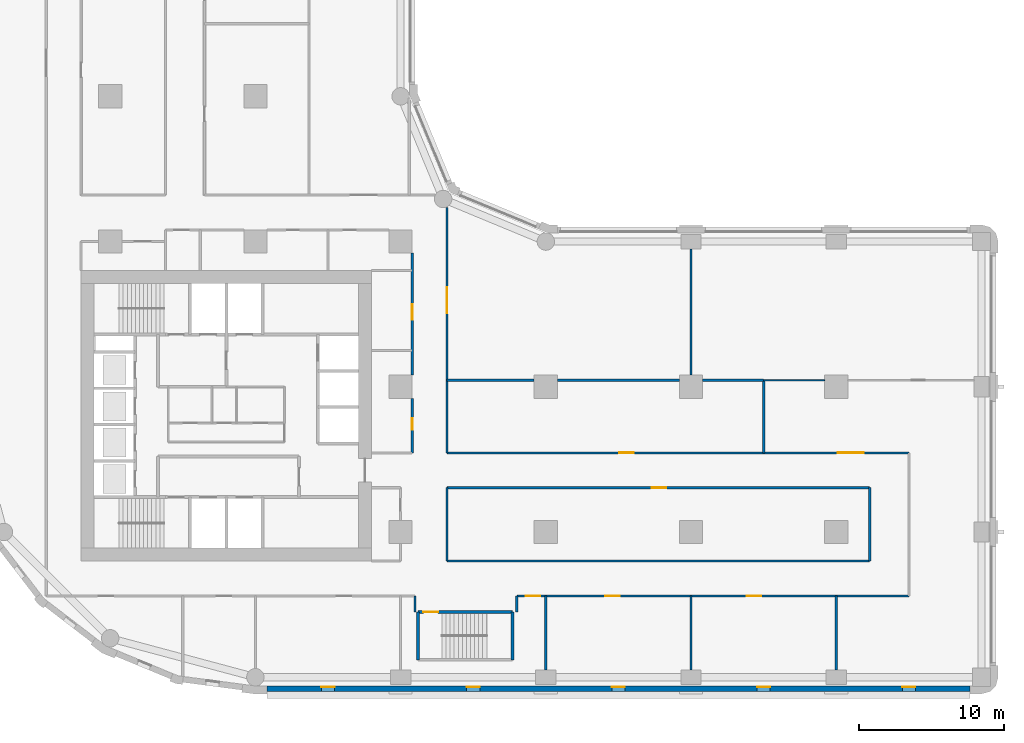
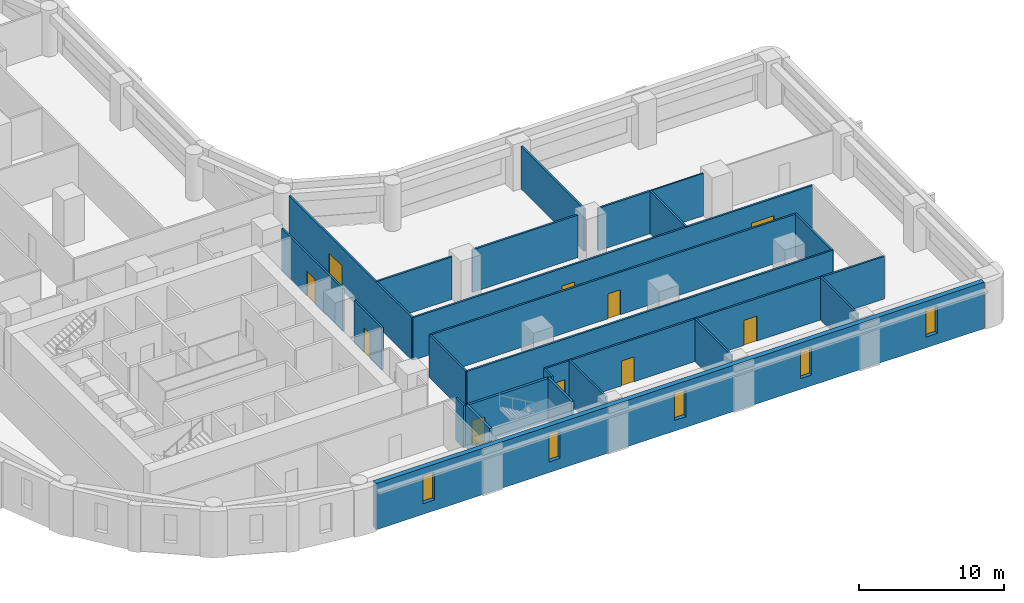
# One storey, part 4 of 10: 24 walls, 10 doors, 5 windows, 15 openings.
"""IFC4 building model written with IfcOpenShell, lengths in metres."""

from ifc_helpers import new_model, si_unit, direction, frame, frame_2d, origin, place, context, subcontext, project, spatial, rectangle, extrude, material, layer, layer_set, type_object, element, fill, save


model = new_model("IFC4")

# Units and contexts
model_context = context("Model", 3, precision=1e-05, world=origin(), true_north=direction((0.0, 1.0)))
body_context = subcontext(model_context, "Body", "Model", "MODEL_VIEW")
ifc_project = project(units=[si_unit("LENGTHUNIT", "METRE"), si_unit("AREAUNIT", "SQUARE_METRE"), si_unit("VOLUMEUNIT", "CUBIC_METRE"), si_unit("PLANEANGLEUNIT", "RADIAN"), si_unit("MASSUNIT", "GRAM", prefix="KILO")], contexts=[model_context])

# Site, building, storey
site_placement = place(None, origin())
site = spatial("IfcSite", under=ifc_project, at=site_placement, CompositionType="ELEMENT")
building_placement = place(site_placement, origin())
building = spatial("IfcBuilding", under=site, at=building_placement, Name="Qaws Garden Tower", CompositionType="ELEMENT")
storey_placement = place(building_placement, frame((0.0, 0.0, 105.60009765625)))
storey = spatial("IfcBuildingStorey", under=building, at=storey_placement, Name="L26", CompositionType="ELEMENT", Elevation=105.60009765625)

# Wall, openings, windows
ifc_material_1 = material(Name="Clay facing brick masonry", Category="masonry")
ifc_layer_1 = layer(ifc_material_1, 0.39990234375)
ifc_layer_set_1 = layer_set([ifc_layer_1], Name="Clay facing brick masonry")
wall_type_1 = type_object("IfcWallType", Name="Brick infill wall 400", PredefinedType="SOLIDWALL", material=ifc_layer_set_1)
wall_1_placement = place(storey_placement, frame((20.800048828125, -0.800048828125, 0.0), z_axis=(0.0, 0.0, 1.0), x_axis=(1.0, 0.0, 0.0)))
wall_1 = element("IfcWall", 1, at=wall_1_placement, inside=storey, type_object=wall_type_1, Name="E-L26-infill-00", PredefinedType="SOLIDWALL", context=body_context, shape_type="SweptSolid", body=[
    extrude(rectangle(XDim=48.39990234375, YDim=0.39990234375, at=frame_2d((24.199951171875, 0.0))), origin(), (0.0, 0.0, 1.0), 3.89990234375),
])
opening_1_placement = place(wall_1_placement, frame((3.75, 0.0, 0.89990234375)))
opening_1 = element("IfcOpeningElement", 2, at=opening_1_placement, cuts=wall_1, Name="Opening W09", PredefinedType="OPENING", context=body_context, shape_type="SweptSolid", body=[
    extrude(rectangle(XDim=0.89990234375, YDim=2.35009765625, at=frame_2d((0.449951171875, 1.175048828125))), frame((0.0, 0.2099609375, 0.0), z_axis=(0.0, -1.0, 0.0), x_axis=(1.0, 0.0, 0.0)), (0.0, 0.0, 1.0), 0.419921875),
])
opening_2_placement = place(wall_1_placement, frame((13.75, 0.0, 0.89990234375)))
opening_2 = element("IfcOpeningElement", 3, at=opening_2_placement, cuts=wall_1, Name="Opening W09", PredefinedType="OPENING", context=body_context, shape_type="SweptSolid", body=[
    extrude(rectangle(XDim=0.89990234375, YDim=2.35009765625, at=frame_2d((0.449951171875, 1.175048828125))), frame((0.0, 0.2099609375, 0.0), z_axis=(0.0, -1.0, 0.0), x_axis=(1.0, 0.0, 0.0)), (0.0, 0.0, 1.0), 0.419921875),
])
opening_3_placement = place(wall_1_placement, frame((23.75, 0.0, 0.89990234375)))
opening_3 = element("IfcOpeningElement", 4, at=opening_3_placement, cuts=wall_1, Name="Opening W09", PredefinedType="OPENING", context=body_context, shape_type="SweptSolid", body=[
    extrude(rectangle(XDim=0.89990234375, YDim=2.35009765625, at=frame_2d((0.449951171875, 1.175048828125))), frame((0.0, 0.2099609375, 0.0), z_axis=(0.0, -1.0, 0.0), x_axis=(1.0, 0.0, 0.0)), (0.0, 0.0, 1.0), 0.419921875),
])
opening_4_placement = place(wall_1_placement, frame((33.75, 0.0, 0.89990234375)))
opening_4 = element("IfcOpeningElement", 5, at=opening_4_placement, cuts=wall_1, Name="Opening W09", PredefinedType="OPENING", context=body_context, shape_type="SweptSolid", body=[
    extrude(rectangle(XDim=0.89990234375, YDim=2.35009765625, at=frame_2d((0.449951171875, 1.175048828125))), frame((0.0, 0.2099609375, 0.0), z_axis=(0.0, -1.0, 0.0), x_axis=(1.0, 0.0, 0.0)), (0.0, 0.0, 1.0), 0.419921875),
])
opening_5_placement = place(wall_1_placement, frame((43.75, 0.0, 0.89990234375)))
opening_5 = element("IfcOpeningElement", 6, at=opening_5_placement, cuts=wall_1, Name="Opening W09", PredefinedType="OPENING", context=body_context, shape_type="SweptSolid", body=[
    extrude(rectangle(XDim=0.89990234375, YDim=2.35009765625, at=frame_2d((0.449951171875, 1.175048828125))), frame((0.0, 0.2099609375, 0.0), z_axis=(0.0, -1.0, 0.0), x_axis=(1.0, 0.0, 0.0)), (0.0, 0.0, 1.0), 0.419921875),
])
ifc_material_2 = material(Name="Aluminium framed window, clear glazing", Category="aluminium")
window_type = type_object("IfcWindowType", Name="Slit window 900 x 2350", PartitioningType="SINGLE_PANEL", PredefinedType="WINDOW", material=ifc_material_2)
window_1_placement = place(opening_1_placement, origin())
window_1 = element("IfcWindow", 7, at=window_1_placement, inside=storey, type_object=window_type, Name="E-L26-window-00-0", OverallHeight=2.35009765625, OverallWidth=0.89990234375, PartitioningType="SINGLE_PANEL", PredefinedType="WINDOW", context=body_context, shape_type="SweptSolid", body=[
    extrude(rectangle(XDim=0.89990234375, YDim=2.35009765625, at=frame_2d((0.449951171875, 1.175048828125))), frame((0.0, 0.159912109375, 0.0), z_axis=(0.0, -1.0, 0.0), x_axis=(1.0, 0.0, 0.0)), (0.0, 0.0, 1.0), 0.06005859375),
])
fill(opening_1, window_1)
window_2_placement = place(opening_2_placement, origin())
window_2 = element("IfcWindow", 8, at=window_2_placement, inside=storey, type_object=window_type, Name="E-L26-window-01-0", OverallHeight=2.35009765625, OverallWidth=0.89990234375, PartitioningType="SINGLE_PANEL", PredefinedType="WINDOW", context=body_context, shape_type="SweptSolid", body=[
    extrude(rectangle(XDim=0.89990234375, YDim=2.35009765625, at=frame_2d((0.449951171875, 1.175048828125))), frame((0.0, 0.159912109375, 0.0), z_axis=(0.0, -1.0, 0.0), x_axis=(1.0, 0.0, 0.0)), (0.0, 0.0, 1.0), 0.06005859375),
])
fill(opening_2, window_2)
window_3_placement = place(opening_3_placement, origin())
window_3 = element("IfcWindow", 9, at=window_3_placement, inside=storey, type_object=window_type, Name="E-L26-window-02-0", OverallHeight=2.35009765625, OverallWidth=0.89990234375, PartitioningType="SINGLE_PANEL", PredefinedType="WINDOW", context=body_context, shape_type="SweptSolid", body=[
    extrude(rectangle(XDim=0.89990234375, YDim=2.35009765625, at=frame_2d((0.449951171875, 1.175048828125))), frame((0.0, 0.159912109375, 0.0), z_axis=(0.0, -1.0, 0.0), x_axis=(1.0, 0.0, 0.0)), (0.0, 0.0, 1.0), 0.06005859375),
])
fill(opening_3, window_3)
window_4_placement = place(opening_4_placement, origin())
window_4 = element("IfcWindow", 10, at=window_4_placement, inside=storey, type_object=window_type, Name="E-L26-window-03-0", OverallHeight=2.35009765625, OverallWidth=0.89990234375, PartitioningType="SINGLE_PANEL", PredefinedType="WINDOW", context=body_context, shape_type="SweptSolid", body=[
    extrude(rectangle(XDim=0.89990234375, YDim=2.35009765625, at=frame_2d((0.449951171875, 1.175048828125))), frame((0.0, 0.159912109375, 0.0), z_axis=(0.0, -1.0, 0.0), x_axis=(1.0, 0.0, 0.0)), (0.0, 0.0, 1.0), 0.06005859375),
])
fill(opening_4, window_4)
window_5_placement = place(opening_5_placement, origin())
window_5 = element("IfcWindow", 11, at=window_5_placement, inside=storey, type_object=window_type, Name="E-L26-window-04-0", OverallHeight=2.35009765625, OverallWidth=0.89990234375, PartitioningType="SINGLE_PANEL", PredefinedType="WINDOW", context=body_context, shape_type="SweptSolid", body=[
    extrude(rectangle(XDim=0.89990234375, YDim=2.35009765625, at=frame_2d((0.449951171875, 1.175048828125))), frame((0.0, 0.159912109375, 0.0), z_axis=(0.0, -1.0, 0.0), x_axis=(1.0, 0.0, 0.0)), (0.0, 0.0, 1.0), 0.06005859375),
])
fill(opening_5, window_5)

# Wall, opening, door
ifc_material_3 = material(Name="Concrete C80", Category="concrete")
ifc_layer_2 = layer(ifc_material_3, 0.199951171875)
ifc_layer_set_2 = layer_set([ifc_layer_2], Name="Concrete C80")
wall_type_2 = type_object("IfcWallType", Name="Core shaft wall 200 C80", PredefinedType="SHEAR", material=ifc_layer_set_2)
wall_2_placement = place(storey_placement, frame((31.199951171875, 4.5, 0.0), z_axis=(0.0, 0.0, 1.0), x_axis=(1.0, 0.0, 0.0)))
wall_2 = element("IfcWall", 12, at=wall_2_placement, inside=storey, type_object=wall_type_2, Name="Shaft wall", PredefinedType="SHEAR", context=body_context, shape_type="SweptSolid", body=[
    extrude(rectangle(XDim=6.5, YDim=0.199951171875, at=frame_2d((3.25, 0.0))), origin(), (0.0, 0.0, 1.0), 3.579833984375),
])
opening_6_placement = place(wall_2_placement, frame((0.375, 0.0, 0.0)))
opening_6 = element("IfcOpeningElement", 13, at=opening_6_placement, cuts=wall_2, Name="Opening SD12", PredefinedType="OPENING", context=body_context, shape_type="SweptSolid", body=[
    extrude(rectangle(XDim=1.0, YDim=2.10009765625, at=frame_2d((0.5, 1.050048828125))), frame((0.0, 0.10986328125, 0.0), z_axis=(0.0, -1.0, 0.0), x_axis=(1.0, 0.0, 0.0)), (0.0, 0.0, 1.0), 0.219970703125),
])
ifc_material_4 = material(Name="Steel S235", Category="steel")
door_type_1 = type_object("IfcDoorType", Name="Stair door 1000x2100", OperationType="SINGLE_SWING_RIGHT", PredefinedType="DOOR", material=ifc_material_4)
door_1_placement = place(opening_6_placement, frame((1.0, 0.0, 0.0), z_axis=(0.0, 0.0, 1.0), x_axis=(-1.0, 0.0, 0.0)))
door_1 = element("IfcDoor", 14, at=door_1_placement, inside=storey, type_object=door_type_1, Name="Stair 5 door", OperationType="SINGLE_SWING_RIGHT", OverallHeight=2.10009765625, OverallWidth=1.0, PredefinedType="DOOR", context=body_context, shape_type="SweptSolid", body=[
    extrude(rectangle(XDim=1.0, YDim=2.10009765625, at=frame_2d((0.5, 1.050048828125))), frame((0.0, 0.02490234375, 0.0), z_axis=(0.0, -1.0, 0.0), x_axis=(1.0, 0.0, 0.0)), (0.0, 0.0, 1.0), 0.050048828125),
])
fill(opening_6, door_1)

# Walls
for number, where, z_axis, x_axis, name in (
    (15, (31.199951171875, 1.199951171875, 0.0), (0.0, 0.0, 1.0), (0.0, 1.0, 0.0), "Shaft wall"),
    (16, (37.699951171875, 1.199951171875, 0.0), (0.0, 0.0, 1.0), (0.0, 1.0, 0.0), "Shaft wall"),
):
    element("IfcWall", number, at=place(storey_placement, frame(where, z_axis=z_axis, x_axis=x_axis)), inside=storey, type_object=wall_type_2, Name=name, PredefinedType="SHEAR", context=body_context, shape_type="SweptSolid", body=[
        extrude(rectangle(XDim=3.300048828125, YDim=0.199951171875, at=frame_2d((1.64990234375, 0.0))), origin(), (0.0, 0.0, 1.0), 3.579833984375),
    ])
ifc_material_5 = material(Name="Gypsum board partition")
ifc_layer_3 = layer(ifc_material_5, 0.10009765625)
ifc_layer_set_3 = layer_set([ifc_layer_3], Name="Gypsum board partition")
wall_type_3 = type_object("IfcWallType", Name="PARTITION 100", PredefinedType="PARTITIONING", material=ifc_layer_set_3)
wall_3_placement = place(storey_placement, frame((55.0, 20.449951171875, 0.0), z_axis=(0.0, 0.0, 1.0), x_axis=(1.0, 0.0, 0.0)))
element("IfcWall", 17, at=wall_3_placement, inside=storey, type_object=wall_type_3, Name="O-L26-wall-002", PredefinedType="PARTITIONING", context=body_context, shape_type="SweptSolid", body=[
    extrude(rectangle(XDim=4.199951171875, YDim=0.10009765625, at=frame_2d((2.10009765625, 0.0))), origin(), (0.0, 0.0, 1.0), 3.579833984375),
])

# Wall, opening, door
ifc_material_6 = material(Name="Gypsum board partition")
ifc_layer_4 = layer(ifc_material_6, 0.14990234375)
ifc_layer_set_4 = layer_set([ifc_layer_4], Name="Gypsum board partition")
wall_type_4 = type_object("IfcWallType", Name="PARTITION 150 EI 60", PredefinedType="PARTITIONING", material=ifc_layer_set_4)
wall_4_placement = place(storey_placement, frame((30.800048828125, 15.449951171875, 0.0), z_axis=(0.0, 0.0, 1.0), x_axis=(0.0, 1.0, 0.0)))
wall_4 = element("IfcWall", 18, at=wall_4_placement, inside=storey, type_object=wall_type_4, Name="O-L26-wall-023", PredefinedType="PARTITIONING", context=body_context, shape_type="SweptSolid", body=[
    extrude(rectangle(XDim=3.75, YDim=0.14990234375, at=frame_2d((1.875, 0.0))), origin(), (0.0, 0.0, 1.0), 3.579833984375),
])
opening_7_placement = place(wall_4_placement, frame((1.60009765625, 0.0, 0.0)))
opening_7 = element("IfcOpeningElement", 19, at=opening_7_placement, cuts=wall_4, Name="Opening A905", PredefinedType="OPENING", context=body_context, shape_type="SweptSolid", body=[
    extrude(rectangle(XDim=0.800048828125, YDim=2.10009765625, at=frame_2d((0.39990234375, 1.050048828125))), frame((0.0, 0.0849609375, 0.0), z_axis=(0.0, -1.0, 0.0), x_axis=(1.0, 0.0, 0.0)), (0.0, 0.0, 1.0), 0.169921875),
])
ifc_material_7 = material(Name="Timber door leaf", Category="wood")
door_type_2 = type_object("IfcDoorType", Name="STORE DOOR 800 X 2100", OperationType="SINGLE_SWING_LEFT", PredefinedType="DOOR", material=ifc_material_7)
door_2_placement = place(opening_7_placement, origin())
door_2 = element("IfcDoor", 20, at=door_2_placement, inside=storey, type_object=door_type_2, Name="O-L26-door-005", OperationType="SINGLE_SWING_RIGHT", OverallHeight=2.10009765625, OverallWidth=0.800048828125, PredefinedType="DOOR", context=body_context, shape_type="SweptSolid", body=[
    extrude(rectangle(XDim=0.800048828125, YDim=2.10009765625, at=frame_2d((0.39990234375, 1.050048828125))), frame((0.0, 0.02490234375, 0.0), z_axis=(0.0, -1.0, 0.0), x_axis=(1.0, 0.0, 0.0)), (0.0, 0.0, 1.0), 0.050048828125),
])
fill(opening_7, door_2)

wall_5_placement = place(storey_placement, frame((30.800048828125, 20.800048828125, 0.0), z_axis=(0.0, 0.0, 1.0), x_axis=(0.0, 1.0, 0.0)))
wall_5 = element("IfcWall", 21, at=wall_5_placement, inside=storey, type_object=wall_type_4, Name="O-L26-wall-024", PredefinedType="PARTITIONING", context=body_context, shape_type="SweptSolid", body=[
    extrude(rectangle(XDim=8.39990234375, YDim=0.14990234375, at=frame_2d((4.199951171875, 0.0))), origin(), (0.0, 0.0, 1.0), 3.579833984375),
])
opening_8_placement = place(wall_5_placement, frame((3.800048828125, 0.0, 0.0)))
opening_8 = element("IfcOpeningElement", 22, at=opening_8_placement, cuts=wall_5, Name="Opening A906", PredefinedType="OPENING", context=body_context, shape_type="SweptSolid", body=[
    extrude(rectangle(XDim=1.10009765625, YDim=2.10009765625, at=frame_2d((0.550048828125, 1.050048828125))), frame((0.0, 0.0849609375, 0.0), z_axis=(0.0, -1.0, 0.0), x_axis=(1.0, 0.0, 0.0)), (0.0, 0.0, 1.0), 0.169921875),
])
ifc_material_8 = material(Name="Timber door leaf", Category="wood")
door_type_3 = type_object("IfcDoorType", Name="SERVICE ROOM DOOR 1100 X 2100", OperationType="SINGLE_SWING_LEFT", PredefinedType="DOOR", material=ifc_material_8)
door_3_placement = place(opening_8_placement, origin())
door_3 = element("IfcDoor", 23, at=door_3_placement, inside=storey, type_object=door_type_3, Name="O-L26-door-006", OperationType="SINGLE_SWING_RIGHT", OverallHeight=2.10009765625, OverallWidth=1.10009765625, PredefinedType="DOOR", context=body_context, shape_type="SweptSolid", body=[
    extrude(rectangle(XDim=1.10009765625, YDim=2.10009765625, at=frame_2d((0.550048828125, 1.050048828125))), frame((0.0, 0.02490234375, 0.0), z_axis=(0.0, -1.0, 0.0), x_axis=(1.0, 0.0, 0.0)), (0.0, 0.0, 1.0), 0.050048828125),
])
fill(opening_8, door_3)

# Walls
wall_6_placement = place(storey_placement, frame((31.0, 4.5, 0.0), z_axis=(0.0, 0.0, 1.0), x_axis=(0.0, 1.0, 0.0)))
element("IfcWall", 24, at=wall_6_placement, inside=storey, type_object=wall_type_4, Name="O-L26-wall-025", PredefinedType="PARTITIONING", context=body_context, shape_type="SweptSolid", body=[
    extrude(rectangle(XDim=1.10009765625, YDim=0.14990234375, at=frame_2d((0.550048828125, 0.0))), origin(), (0.0, 0.0, 1.0), 3.579833984375),
])
wall_7_placement = place(storey_placement, frame((33.199951171875, 8.0, 0.0), z_axis=(0.0, 0.0, 1.0), x_axis=(0.0, 1.0, 0.0)))
element("IfcWall", 25, at=wall_7_placement, inside=storey, type_object=wall_type_4, Name="O-L26-wall-026", PredefinedType="PARTITIONING", context=body_context, shape_type="SweptSolid", body=[
    extrude(rectangle(XDim=5.050048828125, YDim=0.14990234375, at=frame_2d((2.52490234375, 0.0))), origin(), (0.0, 0.0, 1.0), 3.579833984375),
])

# Wall, opening, door
wall_8_placement = place(storey_placement, frame((33.199951171875, 15.449951171875, 0.0), z_axis=(0.0, 0.0, 1.0), x_axis=(0.0, 1.0, 0.0)))
wall_8 = element("IfcWall", 26, at=wall_8_placement, inside=storey, type_object=wall_type_4, Name="O-L26-wall-027", PredefinedType="PARTITIONING", context=body_context, shape_type="SweptSolid", body=[
    extrude(rectangle(XDim=16.912109375, YDim=0.14990234375, at=frame_2d((8.4560546875, 0.0))), origin(), (0.0, 0.0, 1.0), 3.579833984375),
])
opening_9_placement = place(wall_8_placement, frame((9.60009765625, 0.0, 0.0)))
opening_9 = element("IfcOpeningElement", 27, at=opening_9_placement, cuts=wall_8, Name="Opening A903", PredefinedType="OPENING", context=body_context, shape_type="SweptSolid", body=[
    extrude(rectangle(XDim=1.800048828125, YDim=2.10009765625, at=frame_2d((0.89990234375, 1.050048828125))), frame((0.0, 0.0849609375, 0.0), z_axis=(0.0, -1.0, 0.0), x_axis=(1.0, 0.0, 0.0)), (0.0, 0.0, 1.0), 0.169921875),
])
ifc_material_9 = material(Name="Timber door leaf", Category="wood")
door_type_4 = type_object("IfcDoorType", Name="DOUBLE DOOR 1800 X 2100", OperationType="DOUBLE_DOOR_SINGLE_SWING", PredefinedType="DOOR", material=ifc_material_9)
door_4_placement = place(opening_9_placement, frame((1.800048828125, 0.0, 0.0), z_axis=(0.0, 0.0, 1.0), x_axis=(-1.0, 0.0, 0.0)))
door_4 = element("IfcDoor", 28, at=door_4_placement, inside=storey, type_object=door_type_4, Name="O-L26-door-003", OperationType="DOUBLE_DOOR_SINGLE_SWING", OverallHeight=2.10009765625, OverallWidth=1.800048828125, PredefinedType="DOOR", context=body_context, shape_type="SweptSolid", body=[
    extrude(rectangle(XDim=1.800048828125, YDim=2.10009765625, at=frame_2d((0.89990234375, 1.050048828125))), frame((0.0, 0.02490234375, 0.0), z_axis=(0.0, -1.0, 0.0), x_axis=(1.0, 0.0, 0.0)), (0.0, 0.0, 1.0), 0.050048828125),
])
fill(opening_9, door_4)

# Walls
wall_9_placement = place(storey_placement, frame((38.0, 4.5, 0.0), z_axis=(0.0, 0.0, 1.0), x_axis=(0.0, 1.0, 0.0)))
element("IfcWall", 29, at=wall_9_placement, inside=storey, type_object=wall_type_4, Name="O-L26-wall-028", PredefinedType="PARTITIONING", context=body_context, shape_type="SweptSolid", body=[
    extrude(rectangle(XDim=1.10009765625, YDim=0.14990234375, at=frame_2d((0.550048828125, 0.0))), origin(), (0.0, 0.0, 1.0), 3.579833984375),
])
for number, where, z_axis, x_axis, name in (
    (30, (40.0, 0.5, 0.0), (0.0, 0.0, 1.0), (0.0, 1.0, 0.0), "O-L26-wall-029"),
    (31, (50.0, 0.5, 0.0), (0.0, 0.0, 1.0), (0.0, 1.0, 0.0), "O-L26-wall-030"),
):
    element("IfcWall", number, at=place(storey_placement, frame(where, z_axis=z_axis, x_axis=x_axis)), inside=storey, type_object=wall_type_4, Name=name, PredefinedType="PARTITIONING", context=body_context, shape_type="SweptSolid", body=[
        extrude(rectangle(XDim=5.10009765625, YDim=0.14990234375, at=frame_2d((2.550048828125, 0.0))), origin(), (0.0, 0.0, 1.0), 3.579833984375),
    ])
wall_10_placement = place(storey_placement, frame((50.0, 20.800048828125, 0.0), z_axis=(0.0, 0.0, 1.0), x_axis=(0.0, 1.0, 0.0)))
element("IfcWall", 32, at=wall_10_placement, inside=storey, type_object=wall_type_4, Name="O-L26-wall-031", PredefinedType="PARTITIONING", context=body_context, shape_type="SweptSolid", body=[
    extrude(rectangle(XDim=8.699951171875, YDim=0.14990234375, at=frame_2d((4.35009765625, 0.0))), origin(), (0.0, 0.0, 1.0), 3.579833984375),
])
wall_11_placement = place(storey_placement, frame((55.0, 15.449951171875, 0.0), z_axis=(0.0, 0.0, 1.0), x_axis=(0.0, 1.0, 0.0)))
element("IfcWall", 33, at=wall_11_placement, inside=storey, type_object=wall_type_4, Name="O-L26-wall-032", PredefinedType="PARTITIONING", context=body_context, shape_type="SweptSolid", body=[
    extrude(rectangle(XDim=5.0, YDim=0.14990234375, at=frame_2d((2.5, 0.0))), origin(), (0.0, 0.0, 1.0), 3.579833984375),
])
wall_12_placement = place(storey_placement, frame((60.0, 0.5, 0.0), z_axis=(0.0, 0.0, 1.0), x_axis=(0.0, 1.0, 0.0)))
element("IfcWall", 34, at=wall_12_placement, inside=storey, type_object=wall_type_4, Name="O-L26-wall-033", PredefinedType="PARTITIONING", context=body_context, shape_type="SweptSolid", body=[
    extrude(rectangle(XDim=5.10009765625, YDim=0.14990234375, at=frame_2d((2.550048828125, 0.0))), origin(), (0.0, 0.0, 1.0), 3.579833984375),
])
wall_13_placement = place(storey_placement, frame((62.300048828125, 8.0, 0.0), z_axis=(0.0, 0.0, 1.0), x_axis=(0.0, 1.0, 0.0)))
element("IfcWall", 35, at=wall_13_placement, inside=storey, type_object=wall_type_4, Name="O-L26-wall-034", PredefinedType="PARTITIONING", context=body_context, shape_type="SweptSolid", body=[
    extrude(rectangle(XDim=5.050048828125, YDim=0.14990234375, at=frame_2d((2.52490234375, 0.0))), origin(), (0.0, 0.0, 1.0), 3.579833984375),
])

# Wall, openings, doors
wall_14_placement = place(storey_placement, frame((38.0, 5.60009765625, 0.0), z_axis=(0.0, 0.0, 1.0), x_axis=(1.0, 0.0, 0.0)))
wall_14 = element("IfcWall", 36, at=wall_14_placement, inside=storey, type_object=wall_type_4, Name="O-L26-wall-037", PredefinedType="PARTITIONING", context=body_context, shape_type="SweptSolid", body=[
    extrude(rectangle(XDim=27.0, YDim=0.14990234375, at=frame_2d((13.5, 0.0))), origin(), (0.0, 0.0, 1.0), 3.579833984375),
])
opening_10_placement = place(wall_14_placement, frame((0.60009765625, 0.0, 0.0)))
opening_10 = element("IfcOpeningElement", 37, at=opening_10_placement, cuts=wall_14, Name="Opening A921", PredefinedType="OPENING", context=body_context, shape_type="SweptSolid", body=[
    extrude(rectangle(XDim=1.0, YDim=2.10009765625, at=frame_2d((0.5, 1.050048828125))), frame((0.0, 0.0849609375, 0.0), z_axis=(0.0, -1.0, 0.0), x_axis=(1.0, 0.0, 0.0)), (0.0, 0.0, 1.0), 0.169921875),
])
opening_11_placement = place(wall_14_placement, frame((6.10009765625, 0.0, 0.0)))
opening_11 = element("IfcOpeningElement", 38, at=opening_11_placement, cuts=wall_14, Name="Opening A922", PredefinedType="OPENING", context=body_context, shape_type="SweptSolid", body=[
    extrude(rectangle(XDim=1.0, YDim=2.10009765625, at=frame_2d((0.5, 1.050048828125))), frame((0.0, 0.0849609375, 0.0), z_axis=(0.0, -1.0, 0.0), x_axis=(1.0, 0.0, 0.0)), (0.0, 0.0, 1.0), 0.169921875),
])
opening_12_placement = place(wall_14_placement, frame((15.85009765625, 0.0, 0.0)))
opening_12 = element("IfcOpeningElement", 39, at=opening_12_placement, cuts=wall_14, Name="Opening A923", PredefinedType="OPENING", context=body_context, shape_type="SweptSolid", body=[
    extrude(rectangle(XDim=1.0, YDim=2.10009765625, at=frame_2d((0.5, 1.050048828125))), frame((0.0, 0.0849609375, 0.0), z_axis=(0.0, -1.0, 0.0), x_axis=(1.0, 0.0, 0.0)), (0.0, 0.0, 1.0), 0.169921875),
])
ifc_material_10 = material(Name="Timber door leaf", Category="wood")
door_type_5 = type_object("IfcDoorType", Name="TENANCY ENTRANCE DOOR 1000 X 2100", OperationType="SINGLE_SWING_LEFT", PredefinedType="DOOR", material=ifc_material_10)
door_5_placement = place(opening_10_placement, frame((1.0, 0.0, 0.0), z_axis=(0.0, 0.0, 1.0), x_axis=(-1.0, 0.0, 0.0)))
door_5 = element("IfcDoor", 40, at=door_5_placement, inside=storey, type_object=door_type_5, Name="O-L26-door-021", OperationType="SINGLE_SWING_LEFT", OverallHeight=2.10009765625, OverallWidth=1.0, PredefinedType="DOOR", context=body_context, shape_type="SweptSolid", body=[
    extrude(rectangle(XDim=1.0, YDim=2.10009765625, at=frame_2d((0.5, 1.050048828125))), frame((0.0, 0.02490234375, 0.0), z_axis=(0.0, -1.0, 0.0), x_axis=(1.0, 0.0, 0.0)), (0.0, 0.0, 1.0), 0.050048828125),
])
fill(opening_10, door_5)
door_6_placement = place(opening_11_placement, frame((1.0, 0.0, 0.0), z_axis=(0.0, 0.0, 1.0), x_axis=(-1.0, 0.0, 0.0)))
door_6 = element("IfcDoor", 41, at=door_6_placement, inside=storey, type_object=door_type_5, Name="O-L26-door-022", OperationType="SINGLE_SWING_RIGHT", OverallHeight=2.10009765625, OverallWidth=1.0, PredefinedType="DOOR", context=body_context, shape_type="SweptSolid", body=[
    extrude(rectangle(XDim=1.0, YDim=2.10009765625, at=frame_2d((0.5, 1.050048828125))), frame((0.0, 0.02490234375, 0.0), z_axis=(0.0, -1.0, 0.0), x_axis=(1.0, 0.0, 0.0)), (0.0, 0.0, 1.0), 0.050048828125),
])
fill(opening_11, door_6)
door_7_placement = place(opening_12_placement, frame((1.0, 0.0, 0.0), z_axis=(0.0, 0.0, 1.0), x_axis=(-1.0, 0.0, 0.0)))
door_7 = element("IfcDoor", 42, at=door_7_placement, inside=storey, type_object=door_type_5, Name="O-L26-door-023", OperationType="SINGLE_SWING_RIGHT", OverallHeight=2.10009765625, OverallWidth=1.0, PredefinedType="DOOR", context=body_context, shape_type="SweptSolid", body=[
    extrude(rectangle(XDim=1.0, YDim=2.10009765625, at=frame_2d((0.5, 1.050048828125))), frame((0.0, 0.02490234375, 0.0), z_axis=(0.0, -1.0, 0.0), x_axis=(1.0, 0.0, 0.0)), (0.0, 0.0, 1.0), 0.050048828125),
])
fill(opening_12, door_7)

# Wall
wall_15_placement = place(storey_placement, frame((33.199951171875, 8.0, 0.0), z_axis=(0.0, 0.0, 1.0), x_axis=(1.0, 0.0, 0.0)))
element("IfcWall", 43, at=wall_15_placement, inside=storey, type_object=wall_type_4, Name="O-L26-wall-039", PredefinedType="PARTITIONING", context=body_context, shape_type="SweptSolid", body=[
    extrude(rectangle(XDim=29.10009765625, YDim=0.14990234375, at=frame_2d((14.550048828125, 0.0))), origin(), (0.0, 0.0, 1.0), 3.579833984375),
])

# Wall, opening, door
wall_16_placement = place(storey_placement, frame((33.199951171875, 13.050048828125, 0.0), z_axis=(0.0, 0.0, 1.0), x_axis=(1.0, 0.0, 0.0)))
wall_16 = element("IfcWall", 44, at=wall_16_placement, inside=storey, type_object=wall_type_4, Name="O-L26-wall-041", PredefinedType="PARTITIONING", context=body_context, shape_type="SweptSolid", body=[
    extrude(rectangle(XDim=29.10009765625, YDim=0.14990234375, at=frame_2d((14.550048828125, 0.0))), origin(), (0.0, 0.0, 1.0), 3.579833984375),
])
opening_13_placement = place(wall_16_placement, frame((14.10009765625, 0.0, 0.0)))
opening_13 = element("IfcOpeningElement", 45, at=opening_13_placement, cuts=wall_16, Name="Opening A924", PredefinedType="OPENING", context=body_context, shape_type="SweptSolid", body=[
    extrude(rectangle(XDim=1.0, YDim=2.10009765625, at=frame_2d((0.5, 1.050048828125))), frame((0.0, 0.0849609375, 0.0), z_axis=(0.0, -1.0, 0.0), x_axis=(1.0, 0.0, 0.0)), (0.0, 0.0, 1.0), 0.169921875),
])
door_8_placement = place(opening_13_placement, frame((1.0, 0.0, 0.0), z_axis=(0.0, 0.0, 1.0), x_axis=(-1.0, 0.0, 0.0)))
door_8 = element("IfcDoor", 46, at=door_8_placement, inside=storey, type_object=door_type_5, Name="O-L26-door-024", OperationType="SINGLE_SWING_RIGHT", OverallHeight=2.10009765625, OverallWidth=1.0, PredefinedType="DOOR", context=body_context, shape_type="SweptSolid", body=[
    extrude(rectangle(XDim=1.0, YDim=2.10009765625, at=frame_2d((0.5, 1.050048828125))), frame((0.0, 0.02490234375, 0.0), z_axis=(0.0, -1.0, 0.0), x_axis=(1.0, 0.0, 0.0)), (0.0, 0.0, 1.0), 0.050048828125),
])
fill(opening_13, door_8)

# Wall, openings, doors
wall_17_placement = place(storey_placement, frame((33.199951171875, 15.449951171875, 0.0), z_axis=(0.0, 0.0, 1.0), x_axis=(1.0, 0.0, 0.0)))
wall_17 = element("IfcWall", 47, at=wall_17_placement, inside=storey, type_object=wall_type_4, Name="O-L26-wall-043", PredefinedType="PARTITIONING", context=body_context, shape_type="SweptSolid", body=[
    extrude(rectangle(XDim=31.800048828125, YDim=0.14990234375, at=frame_2d((15.89990234375, 0.0))), origin(), (0.0, 0.0, 1.0), 3.579833984375),
])
opening_14_placement = place(wall_17_placement, frame((11.85009765625, 0.0, 0.0)))
opening_14 = element("IfcOpeningElement", 48, at=opening_14_placement, cuts=wall_17, Name="Opening A925", PredefinedType="OPENING", context=body_context, shape_type="SweptSolid", body=[
    extrude(rectangle(XDim=1.0, YDim=2.10009765625, at=frame_2d((0.5, 1.050048828125))), frame((0.0, 0.0849609375, 0.0), z_axis=(0.0, -1.0, 0.0), x_axis=(1.0, 0.0, 0.0)), (0.0, 0.0, 1.0), 0.169921875),
])
opening_15_placement = place(wall_17_placement, frame((26.89990234375, 0.0, 0.0)))
opening_15 = element("IfcOpeningElement", 49, at=opening_15_placement, cuts=wall_17, Name="Opening A926", PredefinedType="OPENING", context=body_context, shape_type="SweptSolid", body=[
    extrude(rectangle(XDim=1.800048828125, YDim=2.10009765625, at=frame_2d((0.89990234375, 1.050048828125))), frame((0.0, 0.0849609375, 0.0), z_axis=(0.0, -1.0, 0.0), x_axis=(1.0, 0.0, 0.0)), (0.0, 0.0, 1.0), 0.169921875),
])
door_9_placement = place(opening_15_placement, origin())
door_9 = element("IfcDoor", 50, at=door_9_placement, inside=storey, type_object=door_type_4, Name="O-L26-door-026", OperationType="DOUBLE_DOOR_SINGLE_SWING", OverallHeight=2.10009765625, OverallWidth=1.800048828125, PredefinedType="DOOR", context=body_context, shape_type="SweptSolid", body=[
    extrude(rectangle(XDim=1.800048828125, YDim=2.10009765625, at=frame_2d((0.89990234375, 1.050048828125))), frame((0.0, 0.02490234375, 0.0), z_axis=(0.0, -1.0, 0.0), x_axis=(1.0, 0.0, 0.0)), (0.0, 0.0, 1.0), 0.050048828125),
])
fill(opening_15, door_9)
door_10_placement = place(opening_14_placement, origin())
door_10 = element("IfcDoor", 51, at=door_10_placement, inside=storey, type_object=door_type_5, Name="O-L26-door-025", OperationType="SINGLE_SWING_LEFT", OverallHeight=2.10009765625, OverallWidth=1.0, PredefinedType="DOOR", context=body_context, shape_type="SweptSolid", body=[
    extrude(rectangle(XDim=1.0, YDim=2.10009765625, at=frame_2d((0.5, 1.050048828125))), frame((0.0, 0.02490234375, 0.0), z_axis=(0.0, -1.0, 0.0), x_axis=(1.0, 0.0, 0.0)), (0.0, 0.0, 1.0), 0.050048828125),
])
fill(opening_14, door_10)

# Walls
wall_18_placement = place(storey_placement, frame((33.199951171875, 20.449951171875, 0.0), z_axis=(0.0, 0.0, 1.0), x_axis=(1.0, 0.0, 0.0)))
element("IfcWall", 52, at=wall_18_placement, inside=storey, type_object=wall_type_4, Name="O-L26-wall-044", PredefinedType="PARTITIONING", context=body_context, shape_type="SweptSolid", body=[
    extrude(rectangle(XDim=6.0, YDim=0.14990234375, at=frame_2d((3.0, 0.0))), origin(), (0.0, 0.0, 1.0), 3.579833984375),
])
wall_19_placement = place(storey_placement, frame((40.800048828125, 20.449951171875, 0.0), z_axis=(0.0, 0.0, 1.0), x_axis=(1.0, 0.0, 0.0)))
element("IfcWall", 53, at=wall_19_placement, inside=storey, type_object=wall_type_4, Name="O-L26-wall-045", PredefinedType="PARTITIONING", context=body_context, shape_type="SweptSolid", body=[
    extrude(rectangle(XDim=8.39990234375, YDim=0.14990234375, at=frame_2d((4.199951171875, 0.0))), origin(), (0.0, 0.0, 1.0), 3.579833984375),
])
wall_20_placement = place(storey_placement, frame((50.800048828125, 20.449951171875, 0.0), z_axis=(0.0, 0.0, 1.0), x_axis=(1.0, 0.0, 0.0)))
element("IfcWall", 54, at=wall_20_placement, inside=storey, type_object=wall_type_4, Name="O-L26-wall-046", PredefinedType="PARTITIONING", context=body_context, shape_type="SweptSolid", body=[
    extrude(rectangle(XDim=4.199951171875, YDim=0.14990234375, at=frame_2d((2.10009765625, 0.0))), origin(), (0.0, 0.0, 1.0), 3.579833984375),
])

save(model, "model.ifc")
